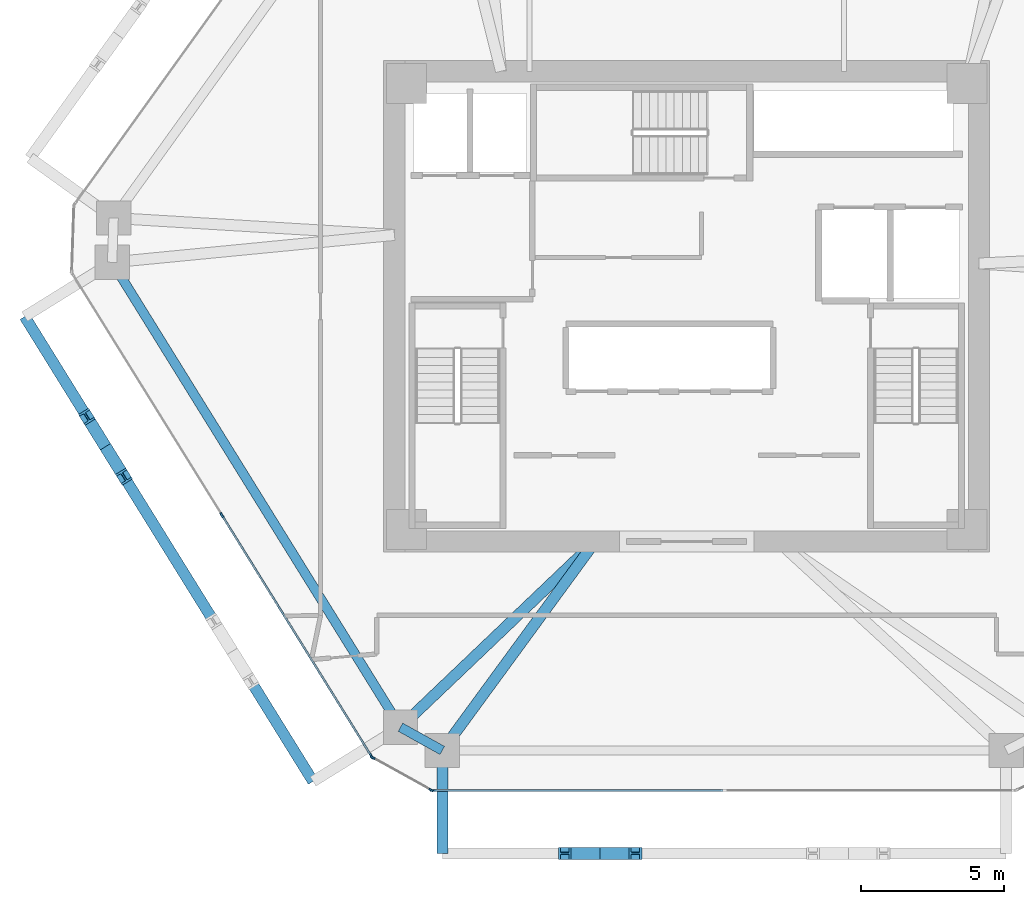
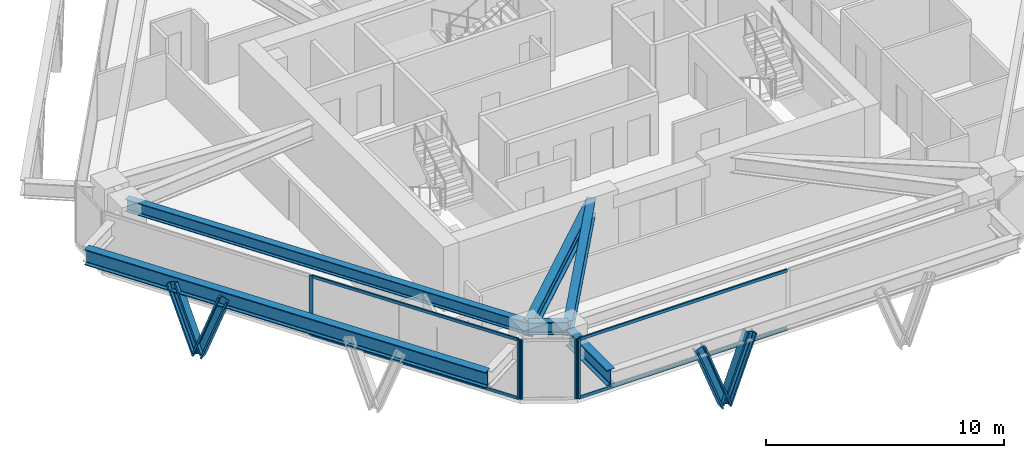
# One storey, part 2 of 13: 13 members, 6 beams, 3 elements without a shape of their own.
"""IFC4 building model written with IfcOpenShell, lengths in metres."""

import ifcopenshell
import ifcopenshell.guid

model = None  # the IFC model being written
_history = None  # IfcOwnerHistory: only IFC2X3 demands one
_inside = {}  # id of a spatial element -> (the spatial element, [elements in it])
_under = {}  # id of a project, library or spatial element -> (it, [spatial elements below it])
_declared = {}  # id of a project -> (the project, [libraries it declares])
_typed = {}  # id of a type object -> (the type object, [elements of that type])
_made_of = {}  # id of a material, layer set ... -> (it, [elements and type objects made of it])


def new_model(schema):
    """Start an empty IFC model of exactly this schema.

    Asked for "IFC4X3", IfcOpenShell would pick the latest addendum, in which some entities
    have other attributes; the version numbers below select the first issue.
    IFC2X3 requires an IfcOwnerHistory on every rooted entity: one is made here for all.
    """
    global model, _history
    if schema == "IFC4X3":
        model = ifcopenshell.file(schema_version=(4, 3, 0, 0))
    else:
        model = ifcopenshell.file(schema=schema)
    _inside.clear()
    _under.clear()
    _declared.clear()
    _typed.clear()
    _made_of.clear()
    _history = None
    if model.schema == "IFC2X3":
        org = make("IfcOrganization", Name="unknown")
        user = make(
            "IfcPersonAndOrganization",
            ThePerson=make("IfcPerson", FamilyName="unknown"),
            TheOrganization=org,
        )
        app = make(
            "IfcApplication",
            ApplicationDeveloper=org,
            Version="unknown",
            ApplicationFullName="unknown",
            ApplicationIdentifier="unknown",
        )
        _history = make(
            "IfcOwnerHistory",
            OwningUser=user,
            OwningApplication=app,
            ChangeAction="ADDED",
            CreationDate=0,
        )
    return model


def make(cls, **values):
    """One entity of the class cls with the attributes given. An attribute that is None is left unset."""
    return model.create_entity(
        cls, **{name: value for name, value in values.items() if value is not None}
    )


def rooted(cls, **values):
    """An entity with a GlobalId (a new one), such as an element, a storey or a relation."""
    return make(cls, GlobalId=ifcopenshell.guid.new(), OwnerHistory=_history, **values)


def si_unit(unit_type, name, prefix=None):
    """IfcSIUnit, for example si_unit("LENGTHUNIT", "METRE", prefix="MILLI")."""
    return make("IfcSIUnit", UnitType=unit_type, Prefix=prefix, Name=name)


def assignment(units):
    """IfcUnitAssignment: the units of a project."""
    return None if units is None else make("IfcUnitAssignment", Units=units)


def point(xyz):
    """IfcCartesianPoint."""
    return None if xyz is None else make("IfcCartesianPoint", Coordinates=xyz)


def direction(xyz):
    """IfcDirection."""
    return None if xyz is None else make("IfcDirection", DirectionRatios=xyz)


def frame(location, z_axis=None, x_axis=None):
    """IfcAxis2Placement3D, a coordinate frame: its origin and axes. An axis left out is left unset."""
    return make(
        "IfcAxis2Placement3D",
        Location=point(location),
        Axis=direction(z_axis),
        RefDirection=direction(x_axis),
    )


def frame_2d(location, x_axis=None):
    """IfcAxis2Placement2D, a coordinate frame in the plane: its origin and x axis."""
    return make(
        "IfcAxis2Placement2D", Location=point(location), RefDirection=direction(x_axis)
    )


def origin():
    """The frame at (0, 0, 0) with its axes left unset."""
    return frame((0.0, 0.0, 0.0))


def origin_2d():
    """The frame at (0, 0) in the plane with its x axis left unset."""
    return frame_2d((0.0, 0.0))


def place(relative_to, where):
    """IfcLocalPlacement: puts the frame where relative to a parent placement (None: the world)."""
    return make(
        "IfcLocalPlacement", PlacementRelTo=relative_to, RelativePlacement=where
    )


def context(
    kind, dimensions, precision=None, world=None, true_north=None, identifier=None
):
    """IfcGeometricRepresentationContext, for example the 3D "Model" context."""
    return make(
        "IfcGeometricRepresentationContext",
        ContextIdentifier=identifier,
        ContextType=kind,
        CoordinateSpaceDimension=dimensions,
        Precision=precision,
        WorldCoordinateSystem=world,
        TrueNorth=true_north,
    )


def subcontext(parent, identifier, kind, view, scale=None):
    """IfcGeometricRepresentationSubContext, for example "Body" below "Model"."""
    return make(
        "IfcGeometricRepresentationSubContext",
        ContextIdentifier=identifier,
        ContextType=kind,
        ParentContext=parent,
        TargetScale=scale,
        TargetView=view,
    )


def project(units=None, contexts=None):
    """IfcProject with its units and contexts."""
    return rooted(
        "IfcProject",
        Name="project",
        RepresentationContexts=contexts,
        UnitsInContext=assignment(units),
    )


def spatial(cls, under=None, at=None, **own):
    """A site, building, storey or space (cls), placed at a placement, below another one or the project."""
    s = rooted(cls, ObjectPlacement=at, **own)
    if under is not None:
        _under.setdefault(under.id(), (under, []))[1].append(s)
    return s


def profile(cls, at=None, kind="AREA", **sizes):
    """A parametric profile (cls). Its sizes go by their IFC names, for example OverallWidth=200.0."""
    return make(cls, ProfileType=kind, Position=at, **sizes)


def rectangle(**sizes):
    """IfcRectangleProfileDef."""
    return profile("IfcRectangleProfileDef", **sizes)


def i_section(**sizes):
    """IfcIShapeProfileDef."""
    return profile("IfcIShapeProfileDef", **sizes)


def extrude(swept, where, along, depth):
    """IfcExtrudedAreaSolid: the profile swept, set in the frame where, extruded along a direction by depth."""
    return make(
        "IfcExtrudedAreaSolid",
        SweptArea=swept,
        Position=where,
        ExtrudedDirection=direction(along),
        Depth=depth,
    )


def shape(context_of_items, identifier, shape_type, items):
    """IfcShapeRepresentation: the items that make up one representation, for example the "Body"."""
    return make(
        "IfcShapeRepresentation",
        ContextOfItems=context_of_items,
        RepresentationIdentifier=identifier,
        RepresentationType=shape_type,
        Items=items,
    )


def source(mapping_origin, context_of_items, identifier, shape_type, items):
    """IfcRepresentationMap: a shape defined once, which mapped items show again and again."""
    return make(
        "IfcRepresentationMap",
        MappingOrigin=mapping_origin,
        MappedRepresentation=shape(context_of_items, identifier, shape_type, items),
    )


def transform(
    local_origin,
    x_axis=None,
    y_axis=None,
    z_axis=None,
    scale=None,
    scale2=None,
    scale3=None,
    uniform=True,
):
    """IfcCartesianTransformationOperator3D, or its non-uniform kind. x_axis, y_axis, z_axis: its Axis1, 2, 3."""
    if uniform:
        return make(
            "IfcCartesianTransformationOperator3D",
            Axis1=direction(x_axis),
            Axis2=direction(y_axis),
            LocalOrigin=point(local_origin),
            Scale=scale,
            Axis3=direction(z_axis),
        )
    return make(
        "IfcCartesianTransformationOperator3DnonUniform",
        Axis1=direction(x_axis),
        Axis2=direction(y_axis),
        LocalOrigin=point(local_origin),
        Scale=scale,
        Axis3=direction(z_axis),
        Scale2=scale2,
        Scale3=scale3,
    )


def mapped(mapping_source, mapping_target):
    """IfcMappedItem: shows the shape of a source again, moved by a transform."""
    return make(
        "IfcMappedItem", MappingSource=mapping_source, MappingTarget=mapping_target
    )


def material(Name=None, Category=None):
    """IfcMaterial."""
    return make("IfcMaterial", Name=Name, Category=Category)


def layer(
    of_material, thickness, ventilated=None, Name=None, Category=None, Priority=None
):
    """IfcMaterialLayer: one layer of a wall or slab, of a material (None: an air gap)."""
    return make(
        "IfcMaterialLayer",
        Material=of_material,
        LayerThickness=thickness,
        IsVentilated=ventilated,
        Name=Name,
        Category=Category,
        Priority=Priority,
    )


def layer_set(layers, Name=None):
    """IfcMaterialLayerSet."""
    return make("IfcMaterialLayerSet", MaterialLayers=layers, LayerSetName=Name)


def material_profile(
    of_material, cross_section, Name=None, Category=None, Priority=None
):
    """IfcMaterialProfile: a cross section and its material."""
    return make(
        "IfcMaterialProfile",
        Name=Name,
        Material=of_material,
        Profile=cross_section,
        Priority=Priority,
        Category=Category,
    )


def profile_set(profiles, Name=None, composite=None):
    """IfcMaterialProfileSet."""
    return make(
        "IfcMaterialProfileSet",
        Name=Name,
        MaterialProfiles=profiles,
        CompositeProfile=composite,
    )


def made_of(thing, what):
    """Note that an element or type object is made of a material, layer set ...; save() writes the relation."""
    if what is not None:
        _made_of.setdefault(what.id(), (what, []))[1].append(thing)
    return thing


def type_object(cls, material=None, **own):
    """A type object (cls), such as IfcWallType, which elements share."""
    return made_of(rooted(cls, **own), material)


def type_shapes(of_type, sources):
    """Give a type object the sources (RepresentationMaps) that its elements show as mapped items."""
    of_type.RepresentationMaps = sources


def element(
    cls,
    number,
    at=None,
    inside=None,
    cuts=None,
    type_object=None,
    material=None,
    context=None,
    identifier="Body",
    shape_type=None,
    held_by="IfcProductDefinitionShape",
    body=None,
    shapes=None,
    **own,
):
    """One element of the class cls, such as IfcWall. Its Tag is "e" and its number.

    at: its placement. inside: the storey or other place that contains it. cuts: it is an
    opening in that element (IfcRelVoidsElement). A single representation is given by context,
    identifier, shape_type and body (its items); several are given by shapes. held_by: the class
    of the entity that holds the representations. save() writes the other relations.
    """
    e = rooted(cls, Tag="e%d" % number, ObjectPlacement=at, **own)
    if body is not None:
        shapes = [shape(context, identifier, shape_type, body)]
    if shapes is not None:
        e.Representation = make(held_by, Representations=shapes)
    if inside is not None:
        _inside.setdefault(inside.id(), (inside, []))[1].append(e)
    if cuts is not None:
        rooted(
            "IfcRelVoidsElement", RelatingBuildingElement=cuts, RelatedOpeningElement=e
        )
    if type_object is not None:
        _typed.setdefault(type_object.id(), (type_object, []))[1].append(e)
    return made_of(e, material)


def aggregate(whole, parts):
    """IfcRelAggregates: a whole, such as a stair, and the parts it consists of."""
    return rooted("IfcRelAggregates", RelatingObject=whole, RelatedObjects=parts)


def save(model, path):
    """Write the relations noted so far, then the file.

    IfcRelAggregates (storeys below a building ...), IfcRelContainedInSpatialStructure (elements
    in a storey), IfcRelDefinesByType, IfcRelAssociatesMaterial and IfcRelDeclares: one each for
    every whole, place, type object, material and project.
    """
    for whole, parts in _under.values():
        aggregate(whole, parts)
    for where, things in _inside.values():
        rooted(
            "IfcRelContainedInSpatialStructure",
            RelatedElements=things,
            RelatingStructure=where,
        )
    for kind, things in _typed.values():
        rooted("IfcRelDefinesByType", RelatedObjects=things, RelatingType=kind)
    for what, things in _made_of.values():
        rooted("IfcRelAssociatesMaterial", RelatedObjects=things, RelatingMaterial=what)
    for by, libraries in _declared.values():
        rooted("IfcRelDeclares", RelatingContext=by, RelatedDefinitions=libraries)
    model.write(path)


model = new_model("IFC4")

# Units and contexts
model_context = context("Model", 3, precision=1e-05, world=origin(), true_north=direction((0.0, 1.0)))
body_context = subcontext(model_context, "Body", "Model", "MODEL_VIEW")
ifc_project = project(units=[si_unit("LENGTHUNIT", "METRE"), si_unit("AREAUNIT", "SQUARE_METRE"), si_unit("VOLUMEUNIT", "CUBIC_METRE"), si_unit("PLANEANGLEUNIT", "RADIAN"), si_unit("MASSUNIT", "GRAM", prefix="KILO")], contexts=[model_context])

# Site, building, storey
site_placement = place(None, origin())
site = spatial("IfcSite", under=ifc_project, at=site_placement, CompositionType="ELEMENT")
building_placement = place(site_placement, origin())
building = spatial("IfcBuilding", under=site, at=building_placement, Name="Durnholm Broadcast Tower", CompositionType="ELEMENT")
storey_placement = place(building_placement, frame((0.0, 0.0, 100.800048828125)))
storey = spatial("IfcBuildingStorey", under=building, at=storey_placement, Name="L26", CompositionType="ELEMENT", Elevation=100.800048828125)

# Beams
ifc_material_1 = material(Name="Steel ASTM A992 Grade 50", Category="steel")
ifc_material_profile_1 = material_profile(ifc_material_1, i_section(OverallWidth=0.385009765625, OverallDepth=0.802978515625, WebThickness=0.023681640625, FlangeThickness=0.0419921875, FilletRadius=0.032958984375, at=origin_2d()), Name="W30X261")
ifc_profile_set_1 = profile_set([ifc_material_profile_1], Name="Steel ASTM A992 Grade 50")
beam_type_1 = type_object("IfcBeamType", Name="BM-EXO-TIE", PredefinedType="USERDEFINED", material=ifc_profile_set_1)
shared_shape_1 = source(origin(), body_context, "Body", "SweptSolid", [
    extrude(i_section(OverallWidth=0.385009765625, OverallDepth=0.802978515625, WebThickness=0.023681640625, FlangeThickness=0.0419921875, FilletRadius=0.032958984375, at=origin_2d()), origin(), (0.0, 0.0, 1.0), 3.4560546875),
])
beam_1_placement = place(storey_placement, frame((-8.552001953125, -15.680908203125, 2.30859375), z_axis=(0.0, -1.0, 0.0), x_axis=(1.0, 0.0, 0.0)))
element("IfcBeam", 1, at=beam_1_placement, inside=storey, type_object=beam_type_1, Name="L26 exoskeleton stand-off tie bracket F1.1", ObjectType="GIRDER", PredefinedType="USERDEFINED", context=body_context, shape_type="MappedRepresentation", body=[
    mapped(shared_shape_1, transform((0.0, 0.0, 0.0), x_axis=(1.0, 0.0, 0.0), y_axis=(0.0, 1.0, 0.0), z_axis=(0.0, 0.0, 1.0), scale=1.0)),
])
ifc_material_profile_2 = material_profile(ifc_material_1, i_section(OverallWidth=0.3291015625, OverallDepth=0.635009765625, WebThickness=0.017822265625, FlangeThickness=0.031005859375, FilletRadius=0.02783203125, at=origin_2d()), Name="W24X162")
ifc_profile_set_2 = profile_set([ifc_material_profile_2], Name="Steel ASTM A992 Grade 50")
beam_type_2 = type_object("IfcBeamType", Name="STL-SP-W24X162", PredefinedType="SPANDREL", material=ifc_profile_set_2)
shared_shape_2 = source(origin(), body_context, "Body", "SweptSolid", [
    extrude(i_section(OverallWidth=0.3291015625, OverallDepth=0.635009765625, WebThickness=0.017822265625, FlangeThickness=0.031005859375, FilletRadius=0.02783203125, at=origin_2d()), origin(), (0.0, 0.0, 1.0), 19.1396484375),
])
beam_2_placement = place(storey_placement, frame((-10.01416015625, -14.723388671875, 2.7275390625), z_axis=(-0.527105324954, 0.849799962582, 0.0), x_axis=(-0.849799962582, -0.527105324954, 0.0)))
element("IfcBeam", 2, at=beam_2_placement, inside=storey, type_object=beam_type_2, Name="L26 perimeter spandrel girder 01", PredefinedType="SPANDREL", context=body_context, shape_type="MappedRepresentation", body=[
    mapped(shared_shape_2, transform((0.0, 0.0, 0.0), x_axis=(1.0, 0.0, 0.0), y_axis=(0.0, 1.0, 0.0), z_axis=(0.0, 0.0, 1.0), scale=1.0)),
])
shared_shape_3 = source(origin(), body_context, "Body", "SweptSolid", [
    extrude(i_section(OverallWidth=0.3291015625, OverallDepth=0.635009765625, WebThickness=0.017822265625, FlangeThickness=0.031005859375, FilletRadius=0.02783203125, at=origin_2d()), origin(), (0.0, 0.0, 1.0), 1.67333984375),
])
type_shapes(beam_type_2, [shared_shape_2, shared_shape_3])
beam_3_placement = place(storey_placement, frame((-8.552001953125, -15.537109375, 2.7275390625), z_axis=(-0.873799169188, 0.486286964586, 0.0), x_axis=(-0.486286964586, -0.873799169188, 0.0)))
element("IfcBeam", 3, at=beam_3_placement, inside=storey, type_object=beam_type_2, Name="L26 perimeter spandrel girder 12", PredefinedType="SPANDREL", context=body_context, shape_type="MappedRepresentation", body=[
    mapped(shared_shape_3, transform((0.0, 0.0, 0.0), x_axis=(1.0, 0.0, 0.0), y_axis=(0.0, 1.0, 0.0), z_axis=(0.0, 0.0, 1.0), scale=1.0)),
])
ifc_material_profile_3 = material_profile(ifc_material_1, i_section(OverallWidth=0.385009765625, OverallDepth=0.802978515625, WebThickness=0.023681640625, FlangeThickness=0.0419921875, FilletRadius=0.032958984375, at=origin_2d()), Name="W30X261")
ifc_profile_set_3 = profile_set([ifc_material_profile_3], Name="Steel ASTM A992 Grade 50")
beam_type_3 = type_object("IfcBeamType", Name="STL-GR-W30X261", PredefinedType="USERDEFINED", material=ifc_profile_set_3)
shared_shape_4 = source(origin(), body_context, "Body", "SweptSolid", [
    extrude(i_section(OverallWidth=0.385009765625, OverallDepth=0.802978515625, WebThickness=0.023681640625, FlangeThickness=0.0419921875, FilletRadius=0.032958984375, at=origin_2d()), origin(), (0.0, 0.0, 1.0), 9.416015625),
])
beam_4_placement = place(storey_placement, frame((-3.199951171875, -8.22509765625, 2.6435546875), z_axis=(-0.723683335801, -0.690132182617, 0.0), x_axis=(0.690132182617, -0.723683335801, 0.0)))
element("IfcBeam", 4, at=beam_4_placement, inside=storey, type_object=beam_type_3, Name="L26 radial primary floor girder 01", ObjectType="GIRDER", PredefinedType="USERDEFINED", context=body_context, shape_type="MappedRepresentation", body=[
    mapped(shared_shape_4, transform((0.0, 0.0, 0.0), x_axis=(1.0, 0.0, 0.0), y_axis=(0.0, 1.0, 0.0), z_axis=(0.0, 0.0, 1.0), scale=1.0)),
])
shared_shape_5 = source(origin(), body_context, "Body", "SweptSolid", [
    extrude(i_section(OverallWidth=0.385009765625, OverallDepth=0.802978515625, WebThickness=0.023681640625, FlangeThickness=0.0419921875, FilletRadius=0.032958984375, at=origin_2d()), origin(), (0.0, 0.0, 1.0), 9.0615234375),
])
type_shapes(beam_type_3, [shared_shape_4, shared_shape_5])
beam_5_placement = place(storey_placement, frame((-3.199951171875, -8.22509765625, 2.6435546875), z_axis=(-0.590639241086, -0.806935739008, 0.0), x_axis=(0.806935739008, -0.590639241086, 0.0)))
element("IfcBeam", 5, at=beam_5_placement, inside=storey, type_object=beam_type_3, Name="L26 radial primary floor girder 12", ObjectType="GIRDER", PredefinedType="USERDEFINED", context=body_context, shape_type="MappedRepresentation", body=[
    mapped(shared_shape_5, transform((0.0, 0.0, 0.0), x_axis=(1.0, 0.0, 0.0), y_axis=(0.0, 1.0, 0.0), z_axis=(0.0, 0.0, 1.0), scale=1.0)),
])
shared_shape_6 = source(origin(), body_context, "Body", "SweptSolid", [
    extrude(i_section(OverallWidth=0.385009765625, OverallDepth=0.802978515625, WebThickness=0.023681640625, FlangeThickness=0.0419921875, FilletRadius=0.032958984375, at=origin_2d()), origin(), (0.0, 0.0, 1.0), 19.139404296875),
])
type_shapes(beam_type_1, [shared_shape_1, shared_shape_6])
beam_6_placement = place(storey_placement, frame((-23.162109375, -0.356201171875, 2.30859375), z_axis=(0.527111038734, -0.84979641847, 0.0), x_axis=(0.84979641847, 0.527111038734, 0.0)))
element("IfcBeam", 6, at=beam_6_placement, inside=storey, type_object=beam_type_1, Name="L26 exoskeleton collector spandrel F6", PredefinedType="SPANDREL", context=body_context, shape_type="MappedRepresentation", body=[
    mapped(shared_shape_6, transform((0.0, 0.0, 0.0), x_axis=(1.0, 0.0, 0.0), y_axis=(0.0, 1.0, 0.0), z_axis=(0.0, 0.0, 1.0), scale=1.0)),
])

# Members
ifc_material_2 = material(Name="Steel ASTM A913 Grade 65", Category="steel")
ifc_material_profile_4 = material_profile(ifc_material_2, i_section(OverallWidth=0.424072265625, OverallDepth=0.47412109375, WebThickness=0.047607421875, FlangeThickness=0.0771484375, FilletRadius=0.030517578125, at=origin_2d()), Name="W14X426")
ifc_profile_set_4 = profile_set([ifc_material_profile_4], Name="Steel ASTM A913 Grade 65")
member_type_1 = type_object("IfcMemberType", Name="STL-DG-W14X426", PredefinedType="BRACE", material=ifc_profile_set_4)
shared_shape_7 = source(origin(), body_context, "Body", "SweptSolid", [
    extrude(i_section(OverallWidth=0.424072265625, OverallDepth=0.47412109375, WebThickness=0.047607421875, FlangeThickness=0.0771484375, FilletRadius=0.030517578125, at=origin_2d()), origin(), (0.0, 0.0, 1.0), 3.523193359375),
])
type_shapes(member_type_1, [shared_shape_7])
for number, where, z_axis, x_axis, name in (
    (7, (-3.028076171875, -19.136962890625, -0.991455078125), (-0.350219588454, 0.0, 0.936667625075), (0.0, -1.0, 0.0), "L26 stand-off diagrid brace F1.D1.1"),
    (8, (-3.028076171875, -19.136962890625, -0.991455078125), (0.350219588454, 0.0, 0.936667625075), (0.0, 1.0, 0.0), "L26 stand-off diagrid brace F1.D1.2"),
    (9, (-20.337158203125, -4.910400390625, -0.991455078125), (-0.184602835855, 0.297623566065, 0.936665364961), (-0.849805205368, -0.527096872433, 0.0), "L26 stand-off diagrid brace F6.D1.1"),
    (10, (-20.337158203125, -4.910400390625, -0.991455078125), (0.184606642766, -0.297560406921, 0.936684681032), (0.849750220063, 0.527185511469, 0.0), "L26 stand-off diagrid brace F6.D1.2"),
):
    element("IfcMember", number, at=place(storey_placement, frame(where, z_axis=z_axis, x_axis=x_axis)), inside=storey, type_object=member_type_1, Name=name, PredefinedType="BRACE", context=body_context, shape_type="MappedRepresentation", body=[
        mapped(shared_shape_7, transform((0.0, 0.0, 0.0), x_axis=(1.0, 0.0, 0.0), y_axis=(0.0, 1.0, 0.0), z_axis=(0.0, 0.0, 1.0), scale=1.0)),
    ])

# Curtain wall, members
ifc_material_3 = material(Name="Aluminium and Solar Control IGU", Category="aluminium")
ifc_layer_1 = layer(ifc_material_3, 0.1650390625)
ifc_layer_set_1 = layer_set([ifc_layer_1], Name="Aluminium and Solar Control IGU")
curtain_wall_type_1 = type_object("IfcCurtainWallType", Name="CW-SYS-5", PredefinedType="NOTDEFINED", material=ifc_layer_set_1)
curtain_wall_1_placement = place(storey_placement, origin())
curtain_wall_1 = element("IfcCurtainWall", 11, at=curtain_wall_1_placement, inside=storey, type_object=curtain_wall_type_1, Name="L26 curtain wall CW-CORNER CW-L26-CRN-11", PredefinedType="NOTDEFINED")
ifc_material_4 = material(Name="Aluminium 6063-T6", Category="aluminium")
ifc_material_profile_5 = material_profile(ifc_material_4, rectangle(XDim=0.06494140625, YDim=0.1650390625, at=origin_2d()), Name="CWM65X165")
ifc_profile_set_5 = profile_set([ifc_material_profile_5], Name="Aluminium 6063-T6")
member_type_2 = type_object("IfcMemberType", Name="CW-SYS-5-MUL", PredefinedType="MULLION", material=ifc_profile_set_5)
shared_shape_8 = source(origin(), body_context, "Body", "SweptSolid", [
    extrude(rectangle(XDim=0.06494140625, YDim=0.1650390625, at=origin_2d()), origin(), (0.0, 0.0, 1.0), 3.06005859375),
])
type_shapes(member_type_2, [shared_shape_8])
member_1_placement = place(storey_placement, frame((-8.943603515625, -16.921142578125, 0.0), z_axis=(0.0, 0.0, 1.0), x_axis=(-0.486244224192, -0.873822953715, 0.0)))
member_1 = element("IfcMember", 12, at=member_1_placement, type_object=member_type_2, Name="CW-CORNER mullion 1", PredefinedType="MULLION", context=body_context, shape_type="MappedRepresentation", body=[
    mapped(shared_shape_8, transform((0.0, 0.0, 0.0), x_axis=(1.0, 0.0, 0.0), y_axis=(0.0, 1.0, 0.0), z_axis=(0.0, 0.0, 1.0), scale=1.0)),
])
member_2_placement = place(storey_placement, frame((-10.98388671875, -15.785888671875, 0.0), z_axis=(0.0, 0.0, 1.0), x_axis=(-0.486244224192, -0.873822953715, 0.0)))
member_2 = element("IfcMember", 13, at=member_2_placement, type_object=member_type_2, Name="CW-CORNER mullion 2", PredefinedType="MULLION", context=body_context, shape_type="MappedRepresentation", body=[
    mapped(shared_shape_8, transform((0.0, 0.0, 0.0), x_axis=(1.0, 0.0, 0.0), y_axis=(0.0, 1.0, 0.0), z_axis=(0.0, 0.0, 1.0), scale=1.0)),
])
aggregate(curtain_wall_1, [member_1, member_2])

# Curtain wall, member
ifc_layer_2 = layer(ifc_material_3, 0.18994140625)
ifc_layer_set_2 = layer_set([ifc_layer_2], Name="Aluminium and Solar Control IGU")
curtain_wall_type_2 = type_object("IfcCurtainWallType", Name="CW-SYS-3", PredefinedType="NOTDEFINED", material=ifc_layer_set_2)
curtain_wall_2_placement = place(storey_placement, origin())
curtain_wall_2 = element("IfcCurtainWall", 14, at=curtain_wall_2_placement, inside=storey, type_object=curtain_wall_type_2, Name="L26 curtain wall CW-Z12-VIS CW-L26-F10", PredefinedType="NOTDEFINED")
ifc_material_profile_6 = material_profile(ifc_material_4, rectangle(XDim=0.070068359375, YDim=0.18994140625, at=origin_2d()), Name="CWM70X190")
ifc_profile_set_6 = profile_set([ifc_material_profile_6], Name="Aluminium 6063-T6")
member_type_3 = type_object("IfcMemberType", Name="CW-SYS-3-MUL", PredefinedType="MULLION", material=ifc_profile_set_6)
shared_shape_9 = source(origin(), body_context, "Body", "SweptSolid", [
    extrude(rectangle(XDim=0.070068359375, YDim=0.18994140625, at=origin_2d()), origin(), (0.0, 0.0, 1.0), 3.06005859375),
])
type_shapes(member_type_3, [shared_shape_9])
member_3_placement = place(storey_placement, frame((-8.880126953125, -16.93701171875, 0.0), z_axis=(0.0, 0.0, 1.0), x_axis=(0.0, -1.0, 0.0)))
member_3 = element("IfcMember", 15, at=member_3_placement, type_object=member_type_3, Name="CW-Z12-VIS mullion 3", PredefinedType="MULLION", context=body_context, shape_type="MappedRepresentation", body=[
    mapped(shared_shape_9, transform((0.0, 0.0, 0.0), x_axis=(1.0, 0.0, 0.0), y_axis=(0.0, 1.0, 0.0), z_axis=(0.0, 0.0, 1.0), scale=1.0)),
])

# Curtain wall, members
curtain_wall_3_placement = place(storey_placement, origin())
curtain_wall_3 = element("IfcCurtainWall", 16, at=curtain_wall_3_placement, inside=storey, type_object=curtain_wall_type_2, Name="L26 curtain wall CW-Z12-VIS CW-L26-F12", PredefinedType="NOTDEFINED")
member_4_placement = place(storey_placement, frame((-11.03076171875, -15.740234375, 0.0), z_axis=(0.0, 0.0, 1.0), x_axis=(-0.849799925229, -0.527105385176, 0.0)))
member_4 = element("IfcMember", 17, at=member_4_placement, type_object=member_type_3, Name="CW-Z12-VIS mullion 1", PredefinedType="MULLION", context=body_context, shape_type="MappedRepresentation", body=[
    mapped(shared_shape_9, transform((0.0, 0.0, 0.0), x_axis=(1.0, 0.0, 0.0), y_axis=(0.0, 1.0, 0.0), z_axis=(0.0, 0.0, 1.0), scale=1.0)),
])
member_5_placement = place(storey_placement, frame((-16.264404296875, -7.302734375, 0.0), z_axis=(0.0, 0.0, 1.0), x_axis=(-0.849799925229, -0.527105385176, 0.0)))
member_5 = element("IfcMember", 18, at=member_5_placement, type_object=member_type_3, Name="CW-Z12-VIS mullion 2", PredefinedType="MULLION", context=body_context, shape_type="MappedRepresentation", body=[
    mapped(shared_shape_9, transform((0.0, 0.0, 0.0), x_axis=(1.0, 0.0, 0.0), y_axis=(0.0, 1.0, 0.0), z_axis=(0.0, 0.0, 1.0), scale=1.0)),
])

# Member
ifc_material_profile_7 = material_profile(ifc_material_4, rectangle(XDim=0.070068359375, YDim=0.14990234375, at=origin_2d()), Name="CWT70X150")
ifc_profile_set_7 = profile_set([ifc_material_profile_7], Name="Aluminium 6063-T6")
member_type_4 = type_object("IfcMemberType", Name="CW-SYS-3-TRN", PredefinedType="USERDEFINED", material=ifc_profile_set_7)
shared_shape_10 = source(origin(), body_context, "Body", "SweptSolid", [
    extrude(rectangle(XDim=0.070068359375, YDim=0.14990234375, at=origin_2d()), origin(), (0.0, 0.0, 1.0), 10.109619140625),
])
member_6_placement = place(storey_placement, frame((1.264404296875, -16.93701171875, 0.034912109375), z_axis=(-1.0, 0.0, 0.0), x_axis=(0.0, -1.0, 0.0)))
member_6 = element("IfcMember", 19, at=member_6_placement, type_object=member_type_4, Name="CW-Z12-VIS transom 2.1", ObjectType="TRANSOM", PredefinedType="USERDEFINED", context=body_context, shape_type="MappedRepresentation", body=[
    mapped(shared_shape_10, transform((0.0, 0.0, 0.0), x_axis=(1.0, 0.0, 0.0), y_axis=(0.0, 1.0, 0.0), z_axis=(0.0, 0.0, 1.0), scale=1.0)),
])

member_7_placement = place(storey_placement, frame((1.264404296875, -16.93701171875, 3.02490234375), z_axis=(-1.0, 0.0, 0.0), x_axis=(0.0, -1.0, 0.0)))
member_7 = element("IfcMember", 20, at=member_7_placement, type_object=member_type_4, Name="CW-Z12-VIS transom 2.2", ObjectType="TRANSOM", PredefinedType="USERDEFINED", context=body_context, shape_type="MappedRepresentation", body=[
    mapped(shared_shape_10, transform((0.0, 0.0, 0.0), x_axis=(1.0, 0.0, 0.0), y_axis=(0.0, 1.0, 0.0), z_axis=(0.0, 0.0, 1.0), scale=1.0)),
])

aggregate(curtain_wall_2, [member_3, member_6, member_7])

shared_shape_11 = source(origin(), body_context, "Body", "SweptSolid", [
    extrude(rectangle(XDim=0.070068359375, YDim=0.14990234375, at=origin_2d()), origin(), (0.0, 0.0, 1.0), 9.858642578125),
])
type_shapes(member_type_4, [shared_shape_10, shared_shape_11])
member_8_placement = place(storey_placement, frame((-11.04931640625, -15.71044921875, 0.034912109375), z_axis=(-0.527102081419, 0.849801974441, 0.0), x_axis=(-0.849801974441, -0.527102081419, 0.0)))
member_8 = element("IfcMember", 21, at=member_8_placement, type_object=member_type_4, Name="CW-Z12-VIS transom 1.1", ObjectType="TRANSOM", PredefinedType="USERDEFINED", context=body_context, shape_type="MappedRepresentation", body=[
    mapped(shared_shape_11, transform((0.0, 0.0, 0.0), x_axis=(1.0, 0.0, 0.0), y_axis=(0.0, 1.0, 0.0), z_axis=(0.0, 0.0, 1.0), scale=1.0)),
])

member_9_placement = place(storey_placement, frame((-11.04931640625, -15.71044921875, 3.02490234375), z_axis=(-0.527102081419, 0.849801974441, 0.0), x_axis=(-0.849801974441, -0.527102081419, 0.0)))
member_9 = element("IfcMember", 22, at=member_9_placement, type_object=member_type_4, Name="CW-Z12-VIS transom 1.2", ObjectType="TRANSOM", PredefinedType="USERDEFINED", context=body_context, shape_type="MappedRepresentation", body=[
    mapped(shared_shape_11, transform((0.0, 0.0, 0.0), x_axis=(1.0, 0.0, 0.0), y_axis=(0.0, 1.0, 0.0), z_axis=(0.0, 0.0, 1.0), scale=1.0)),
])

aggregate(curtain_wall_3, [member_4, member_5, member_8, member_9])

save(model, "model.ifc")
